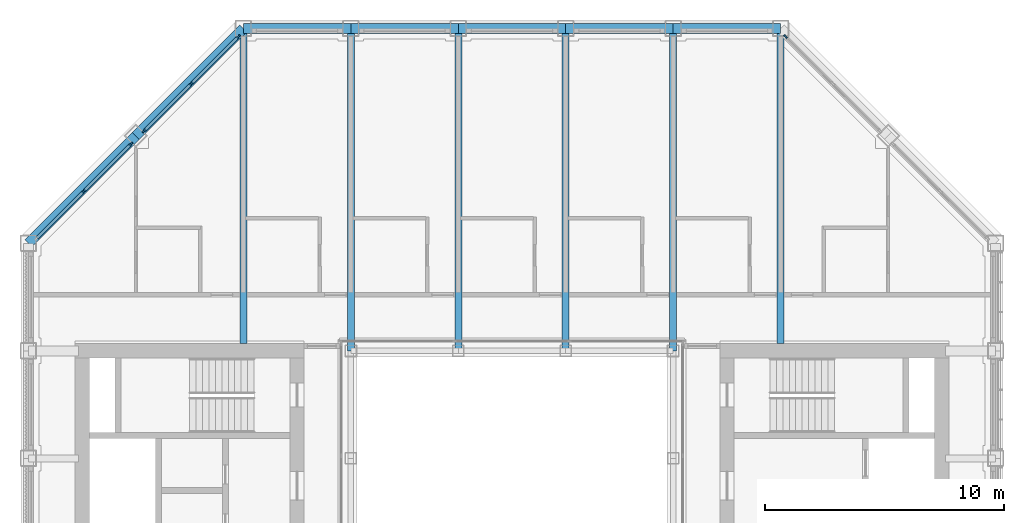
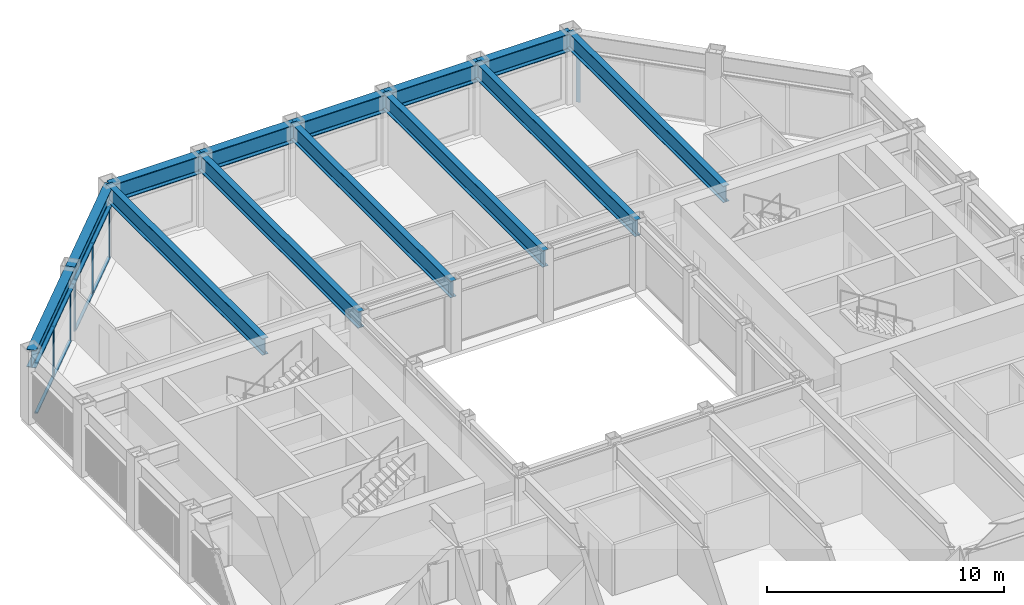
# One storey, part 6 of 18: 14 members, 13 beams, 3 elements without a shape of their own.
"""IFC4 building model written with IfcOpenShell, lengths in metres."""

from ifc_helpers import new_model, si_unit, direction, frame, origin, origin_2d, place, context, subcontext, project, spatial, rectangle, i_section, extrude, material, material_profile, profile_set, type_object, element, aggregate, save


model = new_model("IFC4")

# Units and contexts
model_context = context("Model", 3, precision=1e-05, world=origin(), true_north=direction((0.0, 1.0)))
body_context = subcontext(model_context, "Body", "Model", "MODEL_VIEW")
ifc_project = project(units=[si_unit("LENGTHUNIT", "METRE"), si_unit("AREAUNIT", "SQUARE_METRE"), si_unit("VOLUMEUNIT", "CUBIC_METRE"), si_unit("PLANEANGLEUNIT", "RADIAN"), si_unit("MASSUNIT", "GRAM", prefix="KILO")], contexts=[model_context])

# Site, building, storey
site_placement = place(None, origin())
site = spatial("IfcSite", under=ifc_project, at=site_placement, CompositionType="ELEMENT")
building_placement = place(site_placement, origin())
building = spatial("IfcBuilding", under=site, at=building_placement, Name="Msasa Ring Tower", CompositionType="ELEMENT")
storey_placement = place(building_placement, frame((0.0, 0.0, 200.800048828125)))
storey = spatial("IfcBuildingStorey", under=building, at=storey_placement, Name="L52", CompositionType="ELEMENT", Elevation=200.800048828125)

# Curtain wall, member
ifc_material_1 = material(Name="Aluminium curtain wall with clear glass", Category="aluminium")
curtain_wall_type = type_object("IfcCurtainWallType", Name="CW-C CHAMFER CORNER CURTAIN WALL", PredefinedType="NOTDEFINED", material=ifc_material_1)
curtain_wall_1_placement = place(storey_placement, origin())
curtain_wall_1 = element("IfcCurtainWall", 1, at=curtain_wall_1_placement, inside=storey, type_object=curtain_wall_type, Name="Chamfer corner curtain wall NE L52", PredefinedType="NOTDEFINED")
ifc_material_2 = material(Name="Aluminium mullion", Category="aluminium")
ifc_material_profile_1 = material_profile(ifc_material_2, rectangle(XDim=0.06494140625, YDim=0.179931640625, at=origin_2d()), Name="AL 65x180")
ifc_profile_set_1 = profile_set([ifc_material_profile_1], Name="Aluminium mullion")
member_type_1 = type_object("IfcMemberType", Name="CW-C MULLION 65x180", PredefinedType="MULLION", material=ifc_profile_set_1)
member_1_placement = place(storey_placement, frame((11.453369140625, 19.9052734375, 0.0), z_axis=(0.0, 0.0, 1.0), x_axis=(-0.707106781187, -0.707106781187, 0.0)))
member_1 = element("IfcMember", 2, at=member_1_placement, type_object=member_type_1, Name="CW-C mullion 3", PredefinedType="MULLION", context=body_context, shape_type="SweptSolid", body=[
    extrude(rectangle(XDim=0.06494140625, YDim=0.179931640625, at=origin_2d()), origin(), (0.0, 0.0, 1.0), 2.62890625),
])
aggregate(curtain_wall_1, [member_1])

# Curtain wall, members
curtain_wall_2_placement = place(storey_placement, origin())
curtain_wall_2 = element("IfcCurtainWall", 3, at=curtain_wall_2_placement, inside=storey, type_object=curtain_wall_type, Name="Chamfer corner curtain wall NW L52", PredefinedType="NOTDEFINED")
member_2_placement = place(storey_placement, frame((-15.953369140625, 15.4052734375, 0.0), z_axis=(0.0, 0.0, 1.0), x_axis=(0.707106781187, -0.707106781187, 0.0)))
member_2 = element("IfcMember", 4, at=member_2_placement, type_object=member_type_1, Name="CW-C mullion 1", PredefinedType="MULLION", context=body_context, shape_type="SweptSolid", body=[
    extrude(rectangle(XDim=0.06494140625, YDim=0.179931640625, at=origin_2d()), origin(), (0.0, 0.0, 1.0), 2.62890625),
])
member_3_placement = place(storey_placement, frame((-17.92919921875, 13.42919921875, 0.0), z_axis=(0.0, 0.0, 1.0), x_axis=(0.707106781187, -0.707106781187, 0.0)))
member_3 = element("IfcMember", 5, at=member_3_placement, type_object=member_type_1, Name="CW-C mullion 2", PredefinedType="MULLION", context=body_context, shape_type="SweptSolid", body=[
    extrude(rectangle(XDim=0.06494140625, YDim=0.179931640625, at=origin_2d()), origin(), (0.0, 0.0, 1.0), 2.62890625),
])

curtain_wall_3_placement = place(storey_placement, origin())
curtain_wall_3 = element("IfcCurtainWall", 6, at=curtain_wall_3_placement, inside=storey, type_object=curtain_wall_type, Name="Chamfer corner curtain wall NW L52", PredefinedType="NOTDEFINED")
member_4_placement = place(storey_placement, frame((-11.453369140625, 19.9052734375, 0.0), z_axis=(0.0, 0.0, 1.0), x_axis=(0.707106781187, -0.707106781187, 0.0)))
member_4 = element("IfcMember", 7, at=member_4_placement, type_object=member_type_1, Name="CW-C mullion 1", PredefinedType="MULLION", context=body_context, shape_type="SweptSolid", body=[
    extrude(rectangle(XDim=0.06494140625, YDim=0.179931640625, at=origin_2d()), origin(), (0.0, 0.0, 1.0), 2.62890625),
])
member_5_placement = place(storey_placement, frame((-13.42919921875, 17.92919921875, 0.0), z_axis=(0.0, 0.0, 1.0), x_axis=(0.707106781187, -0.707106781187, 0.0)))
member_5 = element("IfcMember", 8, at=member_5_placement, type_object=member_type_1, Name="CW-C mullion 2", PredefinedType="MULLION", context=body_context, shape_type="SweptSolid", body=[
    extrude(rectangle(XDim=0.06494140625, YDim=0.179931640625, at=origin_2d()), origin(), (0.0, 0.0, 1.0), 2.62890625),
])
member_6_placement = place(storey_placement, frame((-15.4052734375, 15.953369140625, 0.0), z_axis=(0.0, 0.0, 1.0), x_axis=(0.707106781187, -0.707106781187, 0.0)))
member_6 = element("IfcMember", 9, at=member_6_placement, type_object=member_type_1, Name="CW-C mullion 3", PredefinedType="MULLION", context=body_context, shape_type="SweptSolid", body=[
    extrude(rectangle(XDim=0.06494140625, YDim=0.179931640625, at=origin_2d()), origin(), (0.0, 0.0, 1.0), 2.62890625),
])

# Member
ifc_material_3 = material(Name="Aluminium transom", Category="aluminium")
ifc_material_profile_2 = material_profile(ifc_material_3, rectangle(XDim=0.139892578125, YDim=0.06494140625, at=origin_2d()), Name="AL 65x140")
ifc_profile_set_2 = profile_set([ifc_material_profile_2], Name="Aluminium transom")
member_type_2 = type_object("IfcMemberType", Name="CW-C TRANSOM 65x140", PredefinedType="USERDEFINED", material=ifc_profile_set_2)
member_7_placement = place(storey_placement, frame((-15.976318359375, 15.38232421875, 0.032470703125), z_axis=(-0.707106781187, -0.707106781187, 0.0), x_axis=(0.707106781187, -0.707106781187, 0.0)))
member_7 = element("IfcMember", 10, at=member_7_placement, type_object=member_type_2, Name="CW-C transom 1.1", ObjectType="TRANSOM", PredefinedType="USERDEFINED", context=body_context, shape_type="SweptSolid", body=[
    extrude(rectangle(XDim=0.139892578125, YDim=0.06494140625, at=origin_2d()), origin(), (0.0, 0.0, 1.0), 2.729248046875),
])

member_8_placement = place(storey_placement, frame((-15.976318359375, 15.38232421875, 2.596435546875), z_axis=(-0.707106781187, -0.707106781187, 0.0), x_axis=(0.707106781187, -0.707106781187, 0.0)))
member_8 = element("IfcMember", 11, at=member_8_placement, type_object=member_type_2, Name="CW-C transom 1.2", ObjectType="TRANSOM", PredefinedType="USERDEFINED", context=body_context, shape_type="SweptSolid", body=[
    extrude(rectangle(XDim=0.139892578125, YDim=0.06494140625, at=origin_2d()), origin(), (0.0, 0.0, 1.0), 2.729248046875),
])

member_9_placement = place(storey_placement, frame((-17.952392578125, 13.40625, 0.032470703125), z_axis=(-0.707106781187, -0.707106781187, 0.0), x_axis=(0.707106781187, -0.707106781187, 0.0)))
member_9 = element("IfcMember", 12, at=member_9_placement, type_object=member_type_2, Name="CW-C transom 2.1", ObjectType="TRANSOM", PredefinedType="USERDEFINED", context=body_context, shape_type="SweptSolid", body=[
    extrude(rectangle(XDim=0.139892578125, YDim=0.06494140625, at=origin_2d()), origin(), (0.0, 0.0, 1.0), 2.729248046875),
])

member_10_placement = place(storey_placement, frame((-17.952392578125, 13.40625, 2.596435546875), z_axis=(-0.707106781187, -0.707106781187, 0.0), x_axis=(0.707106781187, -0.707106781187, 0.0)))
member_10 = element("IfcMember", 13, at=member_10_placement, type_object=member_type_2, Name="CW-C transom 2.2", ObjectType="TRANSOM", PredefinedType="USERDEFINED", context=body_context, shape_type="SweptSolid", body=[
    extrude(rectangle(XDim=0.139892578125, YDim=0.06494140625, at=origin_2d()), origin(), (0.0, 0.0, 1.0), 2.729248046875),
])

aggregate(curtain_wall_2, [member_2, member_3, member_7, member_8, member_9, member_10])

member_11_placement = place(storey_placement, frame((-11.476318359375, 19.88232421875, 0.032470703125), z_axis=(-0.707106781187, -0.707106781187, 0.0), x_axis=(0.707106781187, -0.707106781187, 0.0)))
member_11 = element("IfcMember", 14, at=member_11_placement, type_object=member_type_2, Name="CW-C transom 1.1", ObjectType="TRANSOM", PredefinedType="USERDEFINED", context=body_context, shape_type="SweptSolid", body=[
    extrude(rectangle(XDim=0.139892578125, YDim=0.06494140625, at=origin_2d()), origin(), (0.0, 0.0, 1.0), 2.729248046875),
])

member_12_placement = place(storey_placement, frame((-11.476318359375, 19.88232421875, 2.596435546875), z_axis=(-0.707106781187, -0.707106781187, 0.0), x_axis=(0.707106781187, -0.707106781187, 0.0)))
member_12 = element("IfcMember", 15, at=member_12_placement, type_object=member_type_2, Name="CW-C transom 1.2", ObjectType="TRANSOM", PredefinedType="USERDEFINED", context=body_context, shape_type="SweptSolid", body=[
    extrude(rectangle(XDim=0.139892578125, YDim=0.06494140625, at=origin_2d()), origin(), (0.0, 0.0, 1.0), 2.729248046875),
])

member_13_placement = place(storey_placement, frame((-13.452392578125, 17.90625, 0.032470703125), z_axis=(-0.707106781187, -0.707106781187, 0.0), x_axis=(0.707106781187, -0.707106781187, 0.0)))
member_13 = element("IfcMember", 16, at=member_13_placement, type_object=member_type_2, Name="CW-C transom 2.1", ObjectType="TRANSOM", PredefinedType="USERDEFINED", context=body_context, shape_type="SweptSolid", body=[
    extrude(rectangle(XDim=0.139892578125, YDim=0.06494140625, at=origin_2d()), origin(), (0.0, 0.0, 1.0), 2.729248046875),
])

member_14_placement = place(storey_placement, frame((-13.452392578125, 17.90625, 2.596435546875), z_axis=(-0.707106781187, -0.707106781187, 0.0), x_axis=(0.707106781187, -0.707106781187, 0.0)))
member_14 = element("IfcMember", 17, at=member_14_placement, type_object=member_type_2, Name="CW-C transom 2.2", ObjectType="TRANSOM", PredefinedType="USERDEFINED", context=body_context, shape_type="SweptSolid", body=[
    extrude(rectangle(XDim=0.139892578125, YDim=0.06494140625, at=origin_2d()), origin(), (0.0, 0.0, 1.0), 2.729248046875),
])

aggregate(curtain_wall_3, [member_4, member_5, member_6, member_11, member_12, member_13, member_14])

# Beams
ifc_material_4 = material(Name="Steel S355", Category="steel")
ifc_material_profile_3 = material_profile(ifc_material_4, i_section(OverallWidth=0.293701171875, OverallDepth=0.850830078125, WebThickness=0.01611328125, FlangeThickness=0.02685546875, FilletRadius=0.017822265625, at=origin_2d()), Name="UB 838x292x226")
ifc_profile_set_3 = profile_set([ifc_material_profile_3], Name="Steel S355")
beam_type_1 = type_object("IfcBeamType", Name="FB5 UB 838x292x226", PredefinedType="BEAM", material=ifc_profile_set_3)
beam_1_placement = place(storey_placement, frame((-11.25, 20.25, 3.12451171875), z_axis=(0.0, -1.0, 0.0), x_axis=(1.0, 0.0, 0.0)))
element("IfcBeam", 18, at=beam_1_placement, inside=storey, type_object=beam_type_1, Name="Floor beam N-11.25 under L53", PredefinedType="BEAM", context=body_context, shape_type="SweptSolid", body=[
    extrude(i_section(OverallWidth=0.293701171875, OverallDepth=0.850830078125, WebThickness=0.01611328125, FlangeThickness=0.02685546875, FilletRadius=0.017822265625, at=origin_2d()), origin(), (0.0, 0.0, 1.0), 13.199951171875),
])
for number, where, z_axis, x_axis, name in (
    (19, (-6.75, 20.25, 3.12451171875), (0.0, -1.0, 0.0), (1.0, 0.0, 0.0), "Floor beam N-6.75 under L53"),
    (20, (-2.25, 20.25, 3.12451171875), (0.0, -1.0, 0.0), (1.0, 0.0, 0.0), "Floor beam N-2.25 under L53"),
    (21, (2.25, 20.25, 3.12451171875), (0.0, -1.0, 0.0), (1.0, 0.0, 0.0), "Floor beam N+2.25 under L53"),
    (22, (6.75, 20.25, 3.12451171875), (0.0, -1.0, 0.0), (1.0, 0.0, 0.0), "Floor beam N+6.75 under L53"),
):
    element("IfcBeam", number, at=place(storey_placement, frame(where, z_axis=z_axis, x_axis=x_axis)), inside=storey, type_object=beam_type_1, Name=name, PredefinedType="BEAM", context=body_context, shape_type="SweptSolid", body=[
        extrude(i_section(OverallWidth=0.293701171875, OverallDepth=0.850830078125, WebThickness=0.01611328125, FlangeThickness=0.02685546875, FilletRadius=0.017822265625, at=origin_2d()), origin(), (0.0, 0.0, 1.0), 13.5),
    ])
beam_2_placement = place(storey_placement, frame((11.25, 20.25, 3.12451171875), z_axis=(0.0, -1.0, 0.0), x_axis=(1.0, 0.0, 0.0)))
element("IfcBeam", 23, at=beam_2_placement, inside=storey, type_object=beam_type_1, Name="Floor beam N+11.25 under L53", PredefinedType="BEAM", context=body_context, shape_type="SweptSolid", body=[
    extrude(i_section(OverallWidth=0.293701171875, OverallDepth=0.850830078125, WebThickness=0.01611328125, FlangeThickness=0.02685546875, FilletRadius=0.017822265625, at=origin_2d()), origin(), (0.0, 0.0, 1.0), 13.199951171875),
])
ifc_material_5 = material(Name="Steel S355", Category="steel")
ifc_material_profile_4 = material_profile(ifc_material_5, i_section(OverallWidth=0.42041015625, OverallDepth=0.9208984375, WebThickness=0.021484375, FlangeThickness=0.03662109375, FilletRadius=0.024169921875, at=origin_2d()), Name="UB 914x419x388")
ifc_profile_set_4 = profile_set([ifc_material_profile_4], Name="Steel S355")
beam_type_2 = type_object("IfcBeamType", Name="SB1 UB 914x419x388", PredefinedType="SPANDREL", material=ifc_profile_set_4)
for number, where, z_axis, x_axis, name in (
    (24, (11.25, 20.25, 3.08935546875), (-1.0, 0.0, 0.0), (0.0, -1.0, 0.0), "Spandrel N+11.25 to N+6.75 under L53"),
    (25, (6.75, 20.25, 3.08935546875), (-1.0, 0.0, 0.0), (0.0, -1.0, 0.0), "Spandrel N+6.75 to N+2.25 under L53"),
    (26, (2.25, 20.25, 3.08935546875), (-1.0, 0.0, 0.0), (0.0, -1.0, 0.0), "Spandrel N+2.25 to N-2.25 under L53"),
    (27, (-2.25, 20.25, 3.08935546875), (-1.0, 0.0, 0.0), (0.0, -1.0, 0.0), "Spandrel N-2.25 to N-6.75 under L53"),
    (28, (-6.75, 20.25, 3.08935546875), (-1.0, 0.0, 0.0), (0.0, -1.0, 0.0), "Spandrel N-6.75 to N-11.25 under L53"),
):
    element("IfcBeam", number, at=place(storey_placement, frame(where, z_axis=z_axis, x_axis=x_axis)), inside=storey, type_object=beam_type_2, Name=name, PredefinedType="SPANDREL", context=body_context, shape_type="SweptSolid", body=[
        extrude(i_section(OverallWidth=0.42041015625, OverallDepth=0.9208984375, WebThickness=0.021484375, FlangeThickness=0.03662109375, FilletRadius=0.024169921875, at=origin_2d()), origin(), (0.0, 0.0, 1.0), 4.5),
    ])
for number, where, z_axis, x_axis, name in (
    (29, (-11.25, 20.25, 3.08935546875), (-0.707106781187, -0.707106781187, 0.0), (0.707106781187, -0.707106781187, 0.0), "Spandrel N-11.25 to NW under L53"),
    (30, (-15.75, 15.75, 3.08935546875), (-0.707106781187, -0.707106781187, 0.0), (0.707106781187, -0.707106781187, 0.0), "Spandrel NW to W+11.25 under L53"),
):
    element("IfcBeam", number, at=place(storey_placement, frame(where, z_axis=z_axis, x_axis=x_axis)), inside=storey, type_object=beam_type_2, Name=name, PredefinedType="SPANDREL", context=body_context, shape_type="SweptSolid", body=[
        extrude(i_section(OverallWidth=0.42041015625, OverallDepth=0.9208984375, WebThickness=0.021484375, FlangeThickness=0.03662109375, FilletRadius=0.024169921875, at=origin_2d()), origin(), (0.0, 0.0, 1.0), 6.364013671875),
    ])

save(model, "model.ifc")
